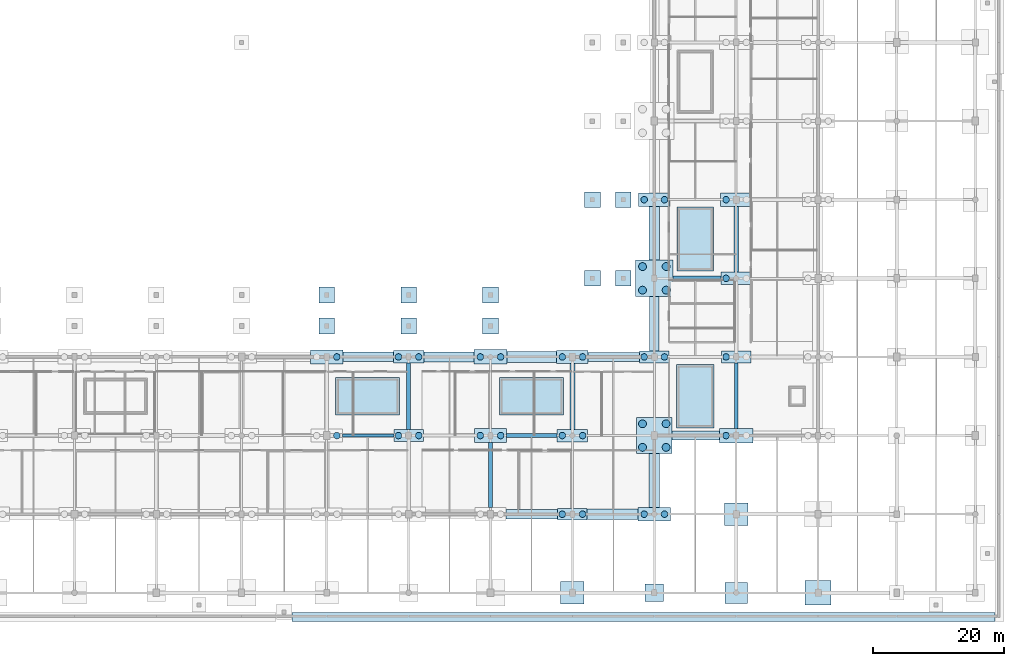
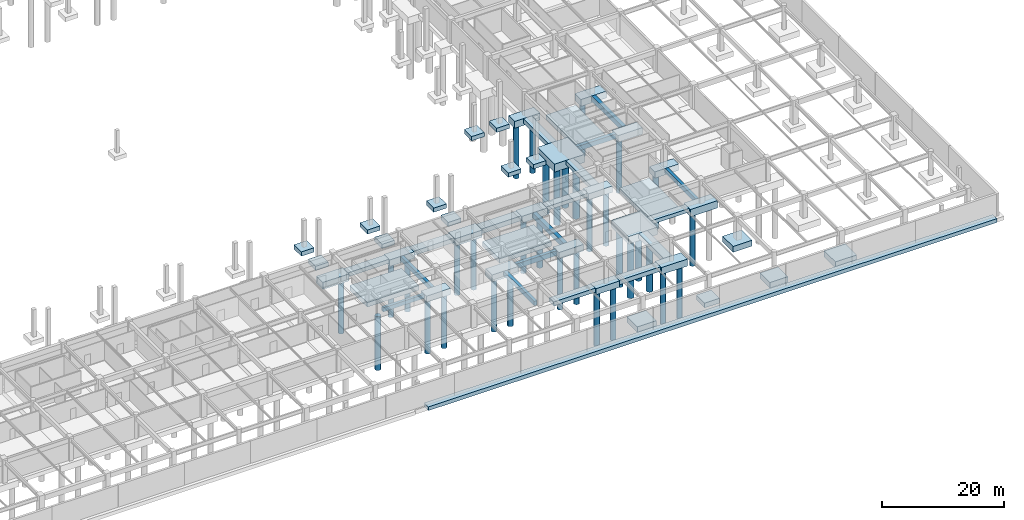
# One storey, part 5 of 56: 55 footings, 34 piles.
"""IFC4 building model written with IfcOpenShell, lengths in metres."""

from ifc_helpers import new_model, si_unit, direction, frame, origin, origin_2d, place, context, subcontext, project, spatial, polyline, rectangle, circle, outline, extrude, material, material_profile, profile_set, type_object, element, save


model = new_model("IFC4")

# Units and contexts
model_context = context("Model", 3, precision=1e-05, world=origin(), true_north=direction((0.0, 1.0)))
body_context = subcontext(model_context, "Body", "Model", "MODEL_VIEW")
ifc_project = project(units=[si_unit("LENGTHUNIT", "METRE"), si_unit("AREAUNIT", "SQUARE_METRE"), si_unit("VOLUMEUNIT", "CUBIC_METRE"), si_unit("PLANEANGLEUNIT", "RADIAN"), si_unit("MASSUNIT", "GRAM", prefix="KILO")], contexts=[model_context])

# Site, building, storey
site_placement = place(None, origin())
site = spatial("IfcSite", under=ifc_project, at=site_placement, CompositionType="ELEMENT")
building_placement = place(site_placement, origin())
building = spatial("IfcBuilding", under=site, at=building_placement, Name="Kazenohara Klinker Stadium", CompositionType="ELEMENT")
storey_placement = place(building_placement, frame((0.0, 0.0, -4.800048828125)))
storey = spatial("IfcBuildingStorey", under=building, at=storey_placement, Name="B01", CompositionType="ELEMENT", Elevation=-4.800048828125)

# Footings
ifc_material = material(Name="Concrete C35/45", Category="concrete")
footing_type_1 = type_object("IfcFootingType", Name="CAP-PC01", PredefinedType="PILE_CAP", material=ifc_material)
for number, where, z_axis, x_axis, name in (
    (1, (137.5, 24.0, -1.25), (0.0, 0.0, 1.0), (1.0, 0.0, 0.0), "Pile cap PC01 at 12/C"),
    (2, (162.5, 12.0, -1.25), (0.0, 0.0, 1.0), (1.0, 0.0, 0.0), "Pile cap PC01 at 14/B"),
    (3, (175.0, 36.0, -1.25), (0.0, 0.0, 1.0), (1.0, 0.0, 0.0), "Pile cap PC01 at 15/D"),
    (4, (187.5, 36.0, -1.25), (0.0, 0.0, 1.0), (1.0, 0.0, 0.0), "Pile cap PC01 at 16/D"),
):
    element("IfcFooting", number, at=place(storey_placement, frame(where, z_axis=z_axis, x_axis=x_axis)), inside=storey, type_object=footing_type_1, Name=name, PredefinedType="PILE_CAP", context=body_context, shape_type="SweptSolid", body=[
        extrude(rectangle(XDim=4.5, YDim=1.800048828125, at=origin_2d()), origin(), (0.0, 0.0, 1.0), 1.25),
    ])
footing_type_2 = type_object("IfcFootingType", Name="CAP-PC02", PredefinedType="PILE_CAP", material=ifc_material)
for number, where, z_axis, x_axis, name in (
    (5, (137.5, 36.0, -1.2998046875), (0.0, 0.0, 1.0), (1.0, 0.0, 0.0), "Pile cap PC02 at 12/D"),
    (6, (162.5, 24.0, -1.2998046875), (0.0, 0.0, 1.0), (1.0, 0.0, 0.0), "Pile cap PC02 at 14/C"),
    (7, (187.5, 48.0, -1.2998046875), (0.0, 0.0, 1.0), (1.0, 0.0, 0.0), "Pile cap PC02 at 16/E"),
):
    element("IfcFooting", number, at=place(storey_placement, frame(where, z_axis=z_axis, x_axis=x_axis)), inside=storey, type_object=footing_type_2, Name=name, PredefinedType="PILE_CAP", context=body_context, shape_type="SweptSolid", body=[
        extrude(rectangle(XDim=4.64990234375, YDim=1.89990234375, at=origin_2d()), origin(), (0.0, 0.0, 1.0), 1.300048828125),
    ])
footing_type_3 = type_object("IfcFootingType", Name="CAP-PC03", PredefinedType="PILE_CAP", material=ifc_material)
for number, where, z_axis, x_axis, name in (
    (8, (162.5, 36.0, -1.35009765625), (0.0, 0.0, 1.0), (1.0, 0.0, 0.0), "Pile cap PC03 at 14/D"),
    (9, (175.0, 60.0, -1.35009765625), (0.0, 0.0, 1.0), (1.0, 0.0, 0.0), "Pile cap PC03 at 15/F"),
    (10, (187.5, 60.0, -1.35009765625), (0.0, 0.0, 1.0), (1.0, 0.0, 0.0), "Pile cap PC03 at 16/F"),
):
    element("IfcFooting", number, at=place(storey_placement, frame(where, z_axis=z_axis, x_axis=x_axis)), inside=storey, type_object=footing_type_3, Name=name, PredefinedType="PILE_CAP", context=body_context, shape_type="SweptSolid", body=[
        extrude(rectangle(XDim=4.800048828125, YDim=2.0, at=origin_2d()), origin(), (0.0, 0.0, 1.0), 1.35009765625),
    ])
footing_type_4 = type_object("IfcFootingType", Name="CAP-PC04", PredefinedType="PILE_CAP", material=ifc_material)
for number, where, z_axis, x_axis, name in (
    (11, (125.0, 36.0, -1.39990234375), (0.0, 0.0, 1.0), (1.0, 0.0, 0.0), "Pile cap PC04 at 11/D"),
    (12, (150.0, 24.0, -1.39990234375), (0.0, 0.0, 1.0), (1.0, 0.0, 0.0), "Pile cap PC04 at 13/C"),
    (13, (175.0, 12.0, -1.39990234375), (0.0, 0.0, 1.0), (1.0, 0.0, 0.0), "Pile cap PC04 at 15/B"),
):
    element("IfcFooting", number, at=place(storey_placement, frame(where, z_axis=z_axis, x_axis=x_axis)), inside=storey, type_object=footing_type_4, Name=name, PredefinedType="PILE_CAP", context=body_context, shape_type="SweptSolid", body=[
        extrude(rectangle(XDim=4.949951171875, YDim=2.10009765625, at=origin_2d()), origin(), (0.0, 0.0, 1.0), 1.39990234375),
    ])
footing_type_5 = type_object("IfcFootingType", Name="CAP-PC05", PredefinedType="PILE_CAP", material=ifc_material)
for number, where, z_axis, x_axis, name in (
    (14, (150.0, 36.0, -1.44970703125), (0.0, 0.0, 1.0), (1.0, 0.0, 0.0), "Pile cap PC05 at 13/D"),
    (15, (187.5, 24.0, -1.44970703125), (0.0, 0.0, 1.0), (1.0, 0.0, 0.0), "Pile cap PC05 at 16/C"),
):
    element("IfcFooting", number, at=place(storey_placement, frame(where, z_axis=z_axis, x_axis=x_axis)), inside=storey, type_object=footing_type_5, Name=name, PredefinedType="PILE_CAP", context=body_context, shape_type="SweptSolid", body=[
        extrude(rectangle(XDim=5.10009765625, YDim=2.199951171875, at=origin_2d()), origin(), (0.0, 0.0, 1.0), 1.449951171875),
    ])
footing_type_6 = type_object("IfcFootingType", Name="CAP-PC08", PredefinedType="PILE_CAP", material=ifc_material)
footing_1_placement = place(storey_placement, frame((175.0, 24.0, -1.5), z_axis=(0.0, 0.0, 1.0), x_axis=(1.0, 0.0, 0.0)))
element("IfcFooting", 16, at=footing_1_placement, inside=storey, type_object=footing_type_6, Name="Pile cap PC08 at 15/C", PredefinedType="PILE_CAP", context=body_context, shape_type="SweptSolid", body=[
    extrude(rectangle(XDim=5.449951171875, YDim=5.449951171875, at=origin_2d()), origin(), (0.0, 0.0, 1.0), 1.5),
])
footing_type_7 = type_object("IfcFootingType", Name="CAP-PC10", PredefinedType="PILE_CAP", material=ifc_material)
footing_2_placement = place(storey_placement, frame((175.0, 48.0, -1.60009765625), z_axis=(0.0, 0.0, 1.0), x_axis=(1.0, 0.0, 0.0)))
element("IfcFooting", 17, at=footing_2_placement, inside=storey, type_object=footing_type_7, Name="Pile cap PC10 at 15/E", PredefinedType="PILE_CAP", context=body_context, shape_type="SweptSolid", body=[
    extrude(rectangle(XDim=5.699951171875, YDim=5.60009765625, at=origin_2d()), origin(), (0.0, 0.0, 1.0), 1.60009765625),
])
footing_type_8 = type_object("IfcFootingType", Name="GBEAM-GB01", PredefinedType="FOOTING_BEAM", material=ifc_material)
footing_3_placement = place(storey_placement, frame((0.0, 0.0, -0.800048828125)))
element("IfcFooting", 18, at=footing_3_placement, inside=storey, type_object=footing_type_8, Name="Foundation tie beam GB01 11-12/C", PredefinedType="FOOTING_BEAM", context=body_context, shape_type="SweptSolid", body=[
    extrude(outline(polyline([(127.39990234375, 23.75), (135.25, 23.75), (135.25, 24.25), (127.39990234375, 24.25), (127.39990234375, 23.75)])), origin(), (0.0, 0.0, 1.0), 0.800048828125),
])
footing_type_9 = type_object("IfcFootingType", Name="GBEAM-GB02", PredefinedType="FOOTING_BEAM", material=ifc_material)
footing_4_placement = place(storey_placement, frame((0.0, 0.0, -0.8798828125)))
element("IfcFooting", 19, at=footing_4_placement, inside=storey, type_object=footing_type_9, Name="Foundation tie beam GB02 12/C-D", PredefinedType="FOOTING_BEAM", context=body_context, shape_type="SweptSolid", body=[
    extrude(outline(polyline([(137.2099609375, 24.89990234375), (137.7900390625, 24.89990234375), (137.7900390625, 35.050048828125), (137.2099609375, 35.050048828125), (137.2099609375, 24.89990234375)])), origin(), (0.0, 0.0, 1.0), 0.8798828125),
])
footing_5_placement = place(storey_placement, frame((0.0, 0.0, -0.8798828125)))
element("IfcFooting", 20, at=footing_5_placement, inside=storey, type_object=footing_type_9, Name="Foundation tie beam GB02 13/B-C", PredefinedType="FOOTING_BEAM", context=body_context, shape_type="SweptSolid", body=[
    extrude(outline(polyline([(149.7099609375, 13.0), (150.2900390625, 13.0), (150.2900390625, 22.949951171875), (149.7099609375, 22.949951171875), (149.7099609375, 13.0)])), origin(), (0.0, 0.0, 1.0), 0.8798828125),
])
footing_6_placement = place(storey_placement, frame((0.0, 0.0, -0.8798828125)))
element("IfcFooting", 21, at=footing_6_placement, inside=storey, type_object=footing_type_9, Name="Foundation tie beam GB02 16/C-D", PredefinedType="FOOTING_BEAM", context=body_context, shape_type="SweptSolid", body=[
    extrude(outline(polyline([(187.2099609375, 25.10009765625), (187.7900390625, 25.10009765625), (187.7900390625, 35.10009765625), (187.2099609375, 35.10009765625), (187.2099609375, 25.10009765625)])), origin(), (0.0, 0.0, 1.0), 0.8798828125),
])
footing_type_10 = type_object("IfcFootingType", Name="GBEAM-GB03", PredefinedType="FOOTING_BEAM", material=ifc_material)
footing_7_placement = place(storey_placement, frame((0.0, 0.0, -0.9599609375)))
element("IfcFooting", 22, at=footing_7_placement, inside=storey, type_object=footing_type_10, Name="Foundation tie beam GB03 13-14/C", PredefinedType="FOOTING_BEAM", context=body_context, shape_type="SweptSolid", body=[
    extrude(outline(polyline([(152.47509765625, 23.675048828125), (160.175048828125, 23.675048828125), (160.175048828125, 24.324951171875), (152.47509765625, 24.324951171875), (152.47509765625, 23.675048828125)])), origin(), (0.0, 0.0, 1.0), 0.9599609375),
])
footing_8_placement = place(storey_placement, frame((0.0, 0.0, -0.9599609375)))
element("IfcFooting", 23, at=footing_8_placement, inside=storey, type_object=footing_type_10, Name="Foundation tie beam GB03 15-16/E", PredefinedType="FOOTING_BEAM", context=body_context, shape_type="SweptSolid", body=[
    extrude(outline(polyline([(177.85009765625, 47.675048828125), (185.175048828125, 47.675048828125), (185.175048828125, 48.324951171875), (177.85009765625, 48.324951171875), (177.85009765625, 47.675048828125)])), origin(), (0.0, 0.0, 1.0), 0.9599609375),
])
footing_type_11 = type_object("IfcFootingType", Name="GBEAM-GB04", PredefinedType="FOOTING_BEAM", material=ifc_material)
footing_9_placement = place(storey_placement, frame((0.0, 0.0, -1.050048828125)))
element("IfcFooting", 24, at=footing_9_placement, inside=storey, type_object=footing_type_11, Name="Foundation tie beam GB04 14/C-D", PredefinedType="FOOTING_BEAM", context=body_context, shape_type="SweptSolid", body=[
    extrude(outline(polyline([(162.139892578125, 24.949951171875), (162.860107421875, 24.949951171875), (162.860107421875, 35.0), (162.139892578125, 35.0), (162.139892578125, 24.949951171875)])), origin(), (0.0, 0.0, 1.0), 1.050048828125),
])
footing_10_placement = place(storey_placement, frame((0.0, 0.0, -1.050048828125)))
element("IfcFooting", 25, at=footing_10_placement, inside=storey, type_object=footing_type_11, Name="Foundation tie beam GB04 16/E-F", PredefinedType="FOOTING_BEAM", context=body_context, shape_type="SweptSolid", body=[
    extrude(outline(polyline([(187.139892578125, 48.949951171875), (187.860107421875, 48.949951171875), (187.860107421875, 59.0), (187.139892578125, 59.0), (187.139892578125, 48.949951171875)])), origin(), (0.0, 0.0, 1.0), 1.050048828125),
])
footing_type_12 = type_object("IfcFootingType", Name="PAD-PF02", PredefinedType="PAD_FOOTING", material=ifc_material)
for number, where, z_axis, x_axis, name in (
    (26, (165.550048828125, 48.0, -0.85009765625), (0.0, 0.0, 1.0), (1.0, 0.0, 0.0), "Bowl moat raker pad PF02 E-E"),
    (27, (170.27490234375, 48.0, -0.85009765625), (0.0, 0.0, 1.0), (1.0, 0.0, 0.0), "Bowl mid-raker pad PF02 E-E"),
    (28, (165.550048828125, 60.0, -0.85009765625), (0.0, 0.0, 1.0), (1.0, 0.0, 0.0), "Bowl moat raker pad PF02 E-F"),
    (29, (170.27490234375, 60.0, -0.85009765625), (0.0, 0.0, 1.0), (1.0, 0.0, 0.0), "Bowl mid-raker pad PF02 E-F"),
    (30, (125.0, 45.449951171875, -0.85009765625), (0.0, 0.0, 1.0), (1.0, 0.0, 0.0), "Bowl moat raker pad PF02 S-11"),
    (31, (125.0, 40.72509765625, -0.85009765625), (0.0, 0.0, 1.0), (1.0, 0.0, 0.0), "Bowl mid-raker pad PF02 S-11"),
    (32, (137.5, 45.449951171875, -0.85009765625), (0.0, 0.0, 1.0), (1.0, 0.0, 0.0), "Bowl moat raker pad PF02 S-12"),
    (33, (137.5, 40.72509765625, -0.85009765625), (0.0, 0.0, 1.0), (1.0, 0.0, 0.0), "Bowl mid-raker pad PF02 S-12"),
    (34, (150.0, 45.449951171875, -0.85009765625), (0.0, 0.0, 1.0), (1.0, 0.0, 0.0), "Bowl moat raker pad PF02 S-13"),
    (35, (150.0, 40.72509765625, -0.85009765625), (0.0, 0.0, 1.0), (1.0, 0.0, 0.0), "Bowl mid-raker pad PF02 S-13"),
):
    element("IfcFooting", number, at=place(storey_placement, frame(where, z_axis=z_axis, x_axis=x_axis)), inside=storey, type_object=footing_type_12, Name=name, PredefinedType="PAD_FOOTING", context=body_context, shape_type="SweptSolid", body=[
        extrude(rectangle(XDim=2.39990234375, YDim=2.39990234375, at=origin_2d()), origin(), (0.0, 0.0, 1.0), 0.85009765625),
    ])
footing_type_13 = type_object("IfcFootingType", Name="PAD-PF04", PredefinedType="PAD_FOOTING", material=ifc_material)
footing_11_placement = place(storey_placement, frame((175.0, 0.0, -0.94970703125), z_axis=(0.0, 0.0, 1.0), x_axis=(1.0, 0.0, 0.0)))
element("IfcFooting", 36, at=footing_11_placement, inside=storey, type_object=footing_type_13, Name="Spread footing PF04 at 15/A", PredefinedType="PAD_FOOTING", context=body_context, shape_type="SweptSolid", body=[
    extrude(rectangle(XDim=2.800048828125, YDim=2.699951171875, at=origin_2d()), origin(), (0.0, 0.0, 1.0), 0.949951171875),
])
footing_12_placement = place(storey_placement, frame((0.0, 0.0, -1.550048828125)))
element("IfcFooting", 37, at=footing_12_placement, inside=storey, type_object=footing_type_13, Name="Stairwell core foundation raft ST16", PredefinedType="PAD_FOOTING", context=body_context, shape_type="SweptSolid", body=[
    extrude(outline(polyline([(178.405029296875, 25.135009765625), (184.094970703125, 25.135009765625), (184.094970703125, 34.864990234375), (178.405029296875, 34.864990234375), (178.405029296875, 25.135009765625)])), origin(), (0.0, 0.0, 1.0), 0.900146484375),
])
footing_13_placement = place(storey_placement, frame((0.0, 0.0, -1.550048828125)))
element("IfcFooting", 38, at=footing_13_placement, inside=storey, type_object=footing_type_13, Name="Stairwell core foundation raft ST21", PredefinedType="PAD_FOOTING", context=body_context, shape_type="SweptSolid", body=[
    extrude(outline(polyline([(178.43505859375, 49.125), (184.06494140625, 49.125), (184.06494140625, 58.875), (178.43505859375, 58.875), (178.43505859375, 49.125)])), origin(), (0.0, 0.0, 1.0), 0.900146484375),
])
footing_14_placement = place(storey_placement, frame((0.0, 0.0, -1.550048828125)))
element("IfcFooting", 39, at=footing_14_placement, inside=storey, type_object=footing_type_13, Name="Stairwell core foundation raft ST27", PredefinedType="PAD_FOOTING", context=body_context, shape_type="SweptSolid", body=[
    extrude(outline(polyline([(126.375, 27.155029296875), (136.125, 27.155029296875), (136.125, 32.844970703125), (126.375, 32.844970703125), (126.375, 27.155029296875)])), origin(), (0.0, 0.0, 1.0), 0.900146484375),
])
footing_15_placement = place(storey_placement, frame((0.0, 0.0, -1.550048828125)))
element("IfcFooting", 40, at=footing_15_placement, inside=storey, type_object=footing_type_13, Name="Stairwell core foundation raft ST28", PredefinedType="PAD_FOOTING", context=body_context, shape_type="SweptSolid", body=[
    extrude(outline(polyline([(151.385009765625, 27.155029296875), (161.114990234375, 27.155029296875), (161.114990234375, 32.844970703125), (151.385009765625, 32.844970703125), (151.385009765625, 27.155029296875)])), origin(), (0.0, 0.0, 1.0), 0.900146484375),
])
footing_type_14 = type_object("IfcFootingType", Name="PAD-PF07", PredefinedType="PAD_FOOTING", material=ifc_material)
footing_16_placement = place(storey_placement, frame((187.5, 0.0, -1.10009765625), z_axis=(0.0, 0.0, 1.0), x_axis=(1.0, 0.0, 0.0)))
element("IfcFooting", 41, at=footing_16_placement, inside=storey, type_object=footing_type_14, Name="Spread footing PF07 at 16/A", PredefinedType="PAD_FOOTING", context=body_context, shape_type="SweptSolid", body=[
    extrude(rectangle(XDim=3.39990234375, YDim=3.199951171875, at=origin_2d()), origin(), (0.0, 0.0, 1.0), 1.10009765625),
])
footing_type_15 = type_object("IfcFootingType", Name="PAD-PF08", PredefinedType="PAD_FOOTING", material=ifc_material)
for number, where, z_axis, x_axis, name in (
    (42, (162.5, 0.0, -1.14990234375), (0.0, 0.0, 1.0), (1.0, 0.0, 0.0), "Spread footing PF08 at 14/A"),
    (43, (187.5, 12.0, -1.14990234375), (0.0, 0.0, 1.0), (1.0, 0.0, 0.0), "Spread footing PF08 at 16/B"),
):
    element("IfcFooting", number, at=place(storey_placement, frame(where, z_axis=z_axis, x_axis=x_axis)), inside=storey, type_object=footing_type_15, Name=name, PredefinedType="PAD_FOOTING", context=body_context, shape_type="SweptSolid", body=[
        extrude(rectangle(XDim=3.60009765625, YDim=3.39990234375, at=origin_2d()), origin(), (0.0, 0.0, 1.0), 1.14990234375),
    ])
footing_type_16 = type_object("IfcFootingType", Name="PAD-PF10", PredefinedType="PAD_FOOTING", material=ifc_material)
footing_17_placement = place(storey_placement, frame((200.0, 0.0, -1.25), z_axis=(0.0, 0.0, 1.0), x_axis=(1.0, 0.0, 0.0)))
element("IfcFooting", 44, at=footing_17_placement, inside=storey, type_object=footing_type_16, Name="Spread footing PF10 at 17/A", PredefinedType="PAD_FOOTING", context=body_context, shape_type="SweptSolid", body=[
    extrude(rectangle(XDim=4.0, YDim=3.75, at=origin_2d()), origin(), (0.0, 0.0, 1.0), 1.25),
])

# Piles
ifc_material_profile_1 = material_profile(ifc_material, circle(Radius=0.5, at=origin_2d()), Name="BORED-PILE-1000")
ifc_profile_set_1 = profile_set([ifc_material_profile_1], Name="Concrete C35/45")
pile_type_1 = type_object("IfcPileType", Name="PILE-P01-1000", PredefinedType="BORED", material=ifc_profile_set_1)
pile_1_placement = place(storey_placement, frame((126.550048828125, 24.0, -1.25), z_axis=(0.0, 0.0, -1.0), x_axis=(1.0, 0.0, 0.0)))
element("IfcPile", 45, at=pile_1_placement, inside=storey, type_object=pile_type_1, Name="Bored pile P01-1002-2", PredefinedType="BORED", context=body_context, shape_type="SweptSolid", body=[
    extrude(circle(Radius=0.5, at=origin_2d()), origin(), (0.0, 0.0, 1.0), 10.75),
])
pile_2_placement = place(storey_placement, frame((126.550048828125, 36.0, -1.300048828125), z_axis=(0.0, 0.0, -1.0), x_axis=(1.0, 0.0, 0.0)))
element("IfcPile", 46, at=pile_2_placement, inside=storey, type_object=pile_type_1, Name="Bored pile P01-1003-2", PredefinedType="BORED", context=body_context, shape_type="SweptSolid", body=[
    extrude(circle(Radius=0.5, at=origin_2d()), origin(), (0.0, 0.0, 1.0), 10.699951171875),
])
for number, where, z_axis, x_axis, name in (
    (47, (135.949951171875, 24.0, -1.14990234375), (0.0, 0.0, -1.0), (1.0, 0.0, 0.0), "Bored pile P01-1102-1"),
    (48, (139.050048828125, 24.0, -1.14990234375), (0.0, 0.0, -1.0), (1.0, 0.0, 0.0), "Bored pile P01-1102-2"),
):
    element("IfcPile", number, at=place(storey_placement, frame(where, z_axis=z_axis, x_axis=x_axis)), inside=storey, type_object=pile_type_1, Name=name, PredefinedType="BORED", context=body_context, shape_type="SweptSolid", body=[
        extrude(circle(Radius=0.5, at=origin_2d()), origin(), (0.0, 0.0, 1.0), 10.85009765625),
    ])
for number, where, z_axis, x_axis, name in (
    (49, (135.949951171875, 36.0, -1.199951171875), (0.0, 0.0, -1.0), (1.0, 0.0, 0.0), "Bored pile P01-1103-1"),
    (50, (139.050048828125, 36.0, -1.199951171875), (0.0, 0.0, -1.0), (1.0, 0.0, 0.0), "Bored pile P01-1103-2"),
):
    element("IfcPile", number, at=place(storey_placement, frame(where, z_axis=z_axis, x_axis=x_axis)), inside=storey, type_object=pile_type_1, Name=name, PredefinedType="BORED", context=body_context, shape_type="SweptSolid", body=[
        extrude(circle(Radius=0.5, at=origin_2d()), origin(), (0.0, 0.0, 1.0), 10.800048828125),
    ])
for number, where, z_axis, x_axis, name in (
    (51, (148.449951171875, 24.0, -1.300048828125), (0.0, 0.0, -1.0), (1.0, 0.0, 0.0), "Bored pile P01-1202-1"),
    (52, (151.550048828125, 24.0, -1.300048828125), (0.0, 0.0, -1.0), (1.0, 0.0, 0.0), "Bored pile P01-1202-2"),
):
    element("IfcPile", number, at=place(storey_placement, frame(where, z_axis=z_axis, x_axis=x_axis)), inside=storey, type_object=pile_type_1, Name=name, PredefinedType="BORED", context=body_context, shape_type="SweptSolid", body=[
        extrude(circle(Radius=0.5, at=origin_2d()), origin(), (0.0, 0.0, 1.0), 10.699951171875),
    ])
for number, where, z_axis, x_axis, name in (
    (53, (148.449951171875, 36.0, -1.349853515625), (0.0, 0.0, -1.0), (1.0, 0.0, 0.0), "Bored pile P01-1203-1"),
    (54, (151.550048828125, 36.0, -1.349853515625), (0.0, 0.0, -1.0), (1.0, 0.0, 0.0), "Bored pile P01-1203-2"),
):
    element("IfcPile", number, at=place(storey_placement, frame(where, z_axis=z_axis, x_axis=x_axis)), inside=storey, type_object=pile_type_1, Name=name, PredefinedType="BORED", context=body_context, shape_type="SweptSolid", body=[
        extrude(circle(Radius=0.5, at=origin_2d()), origin(), (0.0, 0.0, 1.0), 10.64990234375),
    ])
for number, where, z_axis, x_axis, name in (
    (55, (160.949951171875, 12.0, -1.14990234375), (0.0, 0.0, -1.0), (1.0, 0.0, 0.0), "Bored pile P01-1301-1"),
    (56, (164.050048828125, 12.0, -1.14990234375), (0.0, 0.0, -1.0), (1.0, 0.0, 0.0), "Bored pile P01-1301-2"),
):
    element("IfcPile", number, at=place(storey_placement, frame(where, z_axis=z_axis, x_axis=x_axis)), inside=storey, type_object=pile_type_1, Name=name, PredefinedType="BORED", context=body_context, shape_type="SweptSolid", body=[
        extrude(circle(Radius=0.5, at=origin_2d()), origin(), (0.0, 0.0, 1.0), 10.85009765625),
    ])
for number, where, z_axis, x_axis, name in (
    (57, (160.949951171875, 24.0, -1.199951171875), (0.0, 0.0, -1.0), (1.0, 0.0, 0.0), "Bored pile P01-1302-1"),
    (58, (164.050048828125, 24.0, -1.199951171875), (0.0, 0.0, -1.0), (1.0, 0.0, 0.0), "Bored pile P01-1302-2"),
):
    element("IfcPile", number, at=place(storey_placement, frame(where, z_axis=z_axis, x_axis=x_axis)), inside=storey, type_object=pile_type_1, Name=name, PredefinedType="BORED", context=body_context, shape_type="SweptSolid", body=[
        extrude(circle(Radius=0.5, at=origin_2d()), origin(), (0.0, 0.0, 1.0), 10.800048828125),
    ])
for number, where, z_axis, x_axis, name in (
    (59, (160.949951171875, 36.0, -1.25), (0.0, 0.0, -1.0), (1.0, 0.0, 0.0), "Bored pile P01-1303-1"),
    (60, (164.050048828125, 36.0, -1.25), (0.0, 0.0, -1.0), (1.0, 0.0, 0.0), "Bored pile P01-1303-2"),
):
    element("IfcPile", number, at=place(storey_placement, frame(where, z_axis=z_axis, x_axis=x_axis)), inside=storey, type_object=pile_type_1, Name=name, PredefinedType="BORED", context=body_context, shape_type="SweptSolid", body=[
        extrude(circle(Radius=0.5, at=origin_2d()), origin(), (0.0, 0.0, 1.0), 10.75),
    ])
for number, where, z_axis, x_axis, name in (
    (61, (173.449951171875, 12.0, -1.300048828125), (0.0, 0.0, -1.0), (1.0, 0.0, 0.0), "Bored pile P01-1401-1"),
    (62, (176.550048828125, 12.0, -1.300048828125), (0.0, 0.0, -1.0), (1.0, 0.0, 0.0), "Bored pile P01-1401-2"),
):
    element("IfcPile", number, at=place(storey_placement, frame(where, z_axis=z_axis, x_axis=x_axis)), inside=storey, type_object=pile_type_1, Name=name, PredefinedType="BORED", context=body_context, shape_type="SweptSolid", body=[
        extrude(circle(Radius=0.5, at=origin_2d()), origin(), (0.0, 0.0, 1.0), 10.699951171875),
    ])
for number, where, z_axis, x_axis, name in (
    (63, (173.449951171875, 36.0, -1.14990234375), (0.0, 0.0, -1.0), (1.0, 0.0, 0.0), "Bored pile P01-1403-1"),
    (64, (176.550048828125, 36.0, -1.14990234375), (0.0, 0.0, -1.0), (1.0, 0.0, 0.0), "Bored pile P01-1403-2"),
):
    element("IfcPile", number, at=place(storey_placement, frame(where, z_axis=z_axis, x_axis=x_axis)), inside=storey, type_object=pile_type_1, Name=name, PredefinedType="BORED", context=body_context, shape_type="SweptSolid", body=[
        extrude(circle(Radius=0.5, at=origin_2d()), origin(), (0.0, 0.0, 1.0), 10.85009765625),
    ])
for number, where, z_axis, x_axis, name in (
    (65, (173.449951171875, 60.0, -1.25), (0.0, 0.0, -1.0), (1.0, 0.0, 0.0), "Bored pile P01-1405-1"),
    (66, (176.550048828125, 60.0, -1.25), (0.0, 0.0, -1.0), (1.0, 0.0, 0.0), "Bored pile P01-1405-2"),
):
    element("IfcPile", number, at=place(storey_placement, frame(where, z_axis=z_axis, x_axis=x_axis)), inside=storey, type_object=pile_type_1, Name=name, PredefinedType="BORED", context=body_context, shape_type="SweptSolid", body=[
        extrude(circle(Radius=0.5, at=origin_2d()), origin(), (0.0, 0.0, 1.0), 10.75),
    ])
pile_3_placement = place(storey_placement, frame((185.949951171875, 24.0, -1.349853515625), z_axis=(0.0, 0.0, -1.0), x_axis=(1.0, 0.0, 0.0)))
element("IfcPile", 67, at=pile_3_placement, inside=storey, type_object=pile_type_1, Name="Bored pile P01-1502-1", PredefinedType="BORED", context=body_context, shape_type="SweptSolid", body=[
    extrude(circle(Radius=0.5, at=origin_2d()), origin(), (0.0, 0.0, 1.0), 10.64990234375),
])
pile_4_placement = place(storey_placement, frame((185.949951171875, 36.0, -1.14990234375), z_axis=(0.0, 0.0, -1.0), x_axis=(1.0, 0.0, 0.0)))
element("IfcPile", 68, at=pile_4_placement, inside=storey, type_object=pile_type_1, Name="Bored pile P01-1503-1", PredefinedType="BORED", context=body_context, shape_type="SweptSolid", body=[
    extrude(circle(Radius=0.5, at=origin_2d()), origin(), (0.0, 0.0, 1.0), 10.85009765625),
])
pile_5_placement = place(storey_placement, frame((185.949951171875, 48.0, -1.199951171875), z_axis=(0.0, 0.0, -1.0), x_axis=(1.0, 0.0, 0.0)))
element("IfcPile", 69, at=pile_5_placement, inside=storey, type_object=pile_type_1, Name="Bored pile P01-1504-1", PredefinedType="BORED", context=body_context, shape_type="SweptSolid", body=[
    extrude(circle(Radius=0.5, at=origin_2d()), origin(), (0.0, 0.0, 1.0), 10.800048828125),
])
pile_6_placement = place(storey_placement, frame((185.949951171875, 60.0, -1.25), z_axis=(0.0, 0.0, -1.0), x_axis=(1.0, 0.0, 0.0)))
element("IfcPile", 70, at=pile_6_placement, inside=storey, type_object=pile_type_1, Name="Bored pile P01-1505-1", PredefinedType="BORED", context=body_context, shape_type="SweptSolid", body=[
    extrude(circle(Radius=0.5, at=origin_2d()), origin(), (0.0, 0.0, 1.0), 10.75),
])
ifc_material_profile_2 = material_profile(ifc_material, circle(Radius=0.60009765625, at=origin_2d()), Name="BORED-PILE-1200")
ifc_profile_set_2 = profile_set([ifc_material_profile_2], Name="Concrete C35/45")
pile_type_2 = type_object("IfcPileType", Name="PILE-P02-1200", PredefinedType="BORED", material=ifc_profile_set_2)
for number, where, z_axis, x_axis, name in (
    (71, (173.199951171875, 22.199951171875, -1.39990234375), (0.0, 0.0, -1.0), (1.0, 0.0, 0.0), "Bored pile P02-1402-1"),
    (72, (176.800048828125, 22.199951171875, -1.39990234375), (0.0, 0.0, -1.0), (1.0, 0.0, 0.0), "Bored pile P02-1402-2"),
    (73, (173.199951171875, 25.800048828125, -1.39990234375), (0.0, 0.0, -1.0), (1.0, 0.0, 0.0), "Bored pile P02-1402-3"),
    (74, (176.800048828125, 25.800048828125, -1.39990234375), (0.0, 0.0, -1.0), (1.0, 0.0, 0.0), "Bored pile P02-1402-4"),
):
    element("IfcPile", number, at=place(storey_placement, frame(where, z_axis=z_axis, x_axis=x_axis)), inside=storey, type_object=pile_type_2, Name=name, PredefinedType="BORED", context=body_context, shape_type="SweptSolid", body=[
        extrude(circle(Radius=0.60009765625, at=origin_2d()), origin(), (0.0, 0.0, 1.0), 11.39990234375),
    ])
for number, where, z_axis, x_axis, name in (
    (75, (173.199951171875, 46.199951171875, -1.5), (0.0, 0.0, -1.0), (1.0, 0.0, 0.0), "Bored pile P02-1404-1"),
    (76, (176.800048828125, 46.199951171875, -1.5), (0.0, 0.0, -1.0), (1.0, 0.0, 0.0), "Bored pile P02-1404-2"),
    (77, (173.199951171875, 49.800048828125, -1.5), (0.0, 0.0, -1.0), (1.0, 0.0, 0.0), "Bored pile P02-1404-3"),
    (78, (176.800048828125, 49.800048828125, -1.5), (0.0, 0.0, -1.0), (1.0, 0.0, 0.0), "Bored pile P02-1404-4"),
):
    element("IfcPile", number, at=place(storey_placement, frame(where, z_axis=z_axis, x_axis=x_axis)), inside=storey, type_object=pile_type_2, Name=name, PredefinedType="BORED", context=body_context, shape_type="SweptSolid", body=[
        extrude(circle(Radius=0.60009765625, at=origin_2d()), origin(), (0.0, 0.0, 1.0), 11.300048828125),
    ])

# Footings
footing_type_17 = type_object("IfcFootingType", Name="STRIP-SF01", PredefinedType="STRIP_FOOTING", material=ifc_material)
footing_18_placement = place(storey_placement, frame((0.0, 0.0, -0.75)))
element("IfcFooting", 79, at=footing_18_placement, inside=storey, type_object=footing_type_17, Name="Perimeter strip footing SF01 14-15/D", PredefinedType="STRIP_FOOTING", context=body_context, shape_type="SweptSolid", body=[
    extrude(outline(polyline([(164.89990234375, 35.324951171875), (172.75, 35.324951171875), (172.75, 36.675048828125), (164.89990234375, 36.675048828125), (164.89990234375, 35.324951171875)])), origin(), (0.0, 0.0, 1.0), 0.75),
])
footing_19_placement = place(storey_placement, frame((0.0, 0.0, -0.75)))
element("IfcFooting", 80, at=footing_19_placement, inside=storey, type_object=footing_type_17, Name="Perimeter strip footing SF01 15-16/C", PredefinedType="STRIP_FOOTING", context=body_context, shape_type="SweptSolid", body=[
    extrude(outline(polyline([(177.72509765625, 23.324951171875), (184.949951171875, 23.324951171875), (184.949951171875, 24.675048828125), (177.72509765625, 24.675048828125), (177.72509765625, 23.324951171875)])), origin(), (0.0, 0.0, 1.0), 0.75),
])
footing_20_placement = place(storey_placement, frame((0.0, 0.0, -0.75)))
element("IfcFooting", 81, at=footing_20_placement, inside=storey, type_object=footing_type_17, Name="Street plinth strip footing SF01 South-02", PredefinedType="STRIP_FOOTING", context=body_context, shape_type="SweptSolid", body=[
    extrude(outline(polyline([(119.719970703125, -4.375), (227.0, -4.375), (227.0, -3.02490234375), (119.719970703125, -3.02490234375), (119.719970703125, -4.375)])), origin(), (0.0, 0.0, 1.0), 0.75),
])
footing_type_18 = type_object("IfcFootingType", Name="STRIP-SF02", PredefinedType="STRIP_FOOTING", material=ifc_material)
footing_21_placement = place(storey_placement, frame((0.0, 0.0, -0.800048828125)))
element("IfcFooting", 82, at=footing_21_placement, inside=storey, type_object=footing_type_18, Name="Perimeter strip footing SF02 11-12/D", PredefinedType="STRIP_FOOTING", context=body_context, shape_type="SweptSolid", body=[
    extrude(outline(polyline([(127.47509765625, 35.27490234375), (135.175048828125, 35.27490234375), (135.175048828125, 36.72509765625), (127.47509765625, 36.72509765625), (127.47509765625, 35.27490234375)])), origin(), (0.0, 0.0, 1.0), 0.800048828125),
])
footing_22_placement = place(storey_placement, frame((0.0, 0.0, -0.800048828125)))
element("IfcFooting", 83, at=footing_22_placement, inside=storey, type_object=footing_type_18, Name="Perimeter strip footing SF02 13-14/B", PredefinedType="STRIP_FOOTING", context=body_context, shape_type="SweptSolid", body=[
    extrude(outline(polyline([(152.39990234375, 11.27490234375), (160.25, 11.27490234375), (160.25, 12.72509765625), (152.39990234375, 12.72509765625), (152.39990234375, 11.27490234375)])), origin(), (0.0, 0.0, 1.0), 0.800048828125),
])
footing_23_placement = place(storey_placement, frame((0.0, 0.0, -0.800048828125)))
element("IfcFooting", 84, at=footing_23_placement, inside=storey, type_object=footing_type_18, Name="Perimeter strip footing SF02 15/D-E", PredefinedType="STRIP_FOOTING", context=body_context, shape_type="SweptSolid", body=[
    extrude(outline(polyline([(174.27490234375, 36.89990234375), (175.72509765625, 36.89990234375), (175.72509765625, 45.199951171875), (174.27490234375, 45.199951171875), (174.27490234375, 36.89990234375)])), origin(), (0.0, 0.0, 1.0), 0.800048828125),
])
footing_type_19 = type_object("IfcFootingType", Name="STRIP-SF03", PredefinedType="STRIP_FOOTING", material=ifc_material)
footing_24_placement = place(storey_placement, frame((0.0, 0.0, -0.8798828125)))
element("IfcFooting", 85, at=footing_24_placement, inside=storey, type_object=footing_type_19, Name="Perimeter strip footing SF03 12-13/D", PredefinedType="STRIP_FOOTING", context=body_context, shape_type="SweptSolid", body=[
    extrude(outline(polyline([(139.824951171875, 35.22509765625), (147.449951171875, 35.22509765625), (147.449951171875, 36.77490234375), (139.824951171875, 36.77490234375), (139.824951171875, 35.22509765625)])), origin(), (0.0, 0.0, 1.0), 0.8798828125),
])
footing_25_placement = place(storey_placement, frame((0.0, 0.0, -0.8798828125)))
element("IfcFooting", 86, at=footing_25_placement, inside=storey, type_object=footing_type_19, Name="Perimeter strip footing SF03 14-15/B", PredefinedType="STRIP_FOOTING", context=body_context, shape_type="SweptSolid", body=[
    extrude(outline(polyline([(164.75, 11.22509765625), (172.52490234375, 11.22509765625), (172.52490234375, 12.77490234375), (164.75, 12.77490234375), (164.75, 11.22509765625)])), origin(), (0.0, 0.0, 1.0), 0.8798828125),
])
footing_26_placement = place(storey_placement, frame((0.0, 0.0, -0.8798828125)))
element("IfcFooting", 87, at=footing_26_placement, inside=storey, type_object=footing_type_19, Name="Perimeter strip footing SF03 15/E-F", PredefinedType="STRIP_FOOTING", context=body_context, shape_type="SweptSolid", body=[
    extrude(outline(polyline([(174.22509765625, 50.800048828125), (175.77490234375, 50.800048828125), (175.77490234375, 59.0), (174.22509765625, 59.0), (174.22509765625, 50.800048828125)])), origin(), (0.0, 0.0, 1.0), 0.8798828125),
])
footing_type_20 = type_object("IfcFootingType", Name="STRIP-SF04", PredefinedType="STRIP_FOOTING", material=ifc_material)
footing_27_placement = place(storey_placement, frame((0.0, 0.0, -0.949951171875)))
element("IfcFooting", 88, at=footing_27_placement, inside=storey, type_object=footing_type_20, Name="Perimeter strip footing SF04 13-14/D", PredefinedType="STRIP_FOOTING", context=body_context, shape_type="SweptSolid", body=[
    extrude(outline(polyline([(152.550048828125, 35.175048828125), (160.10009765625, 35.175048828125), (160.10009765625, 36.824951171875), (152.550048828125, 36.824951171875), (152.550048828125, 35.175048828125)])), origin(), (0.0, 0.0, 1.0), 0.949951171875),
])
footing_28_placement = place(storey_placement, frame((0.0, 0.0, -0.949951171875)))
element("IfcFooting", 89, at=footing_28_placement, inside=storey, type_object=footing_type_20, Name="Perimeter strip footing SF04 15/B-C", PredefinedType="STRIP_FOOTING", context=body_context, shape_type="SweptSolid", body=[
    extrude(outline(polyline([(174.175048828125, 13.050048828125), (175.824951171875, 13.050048828125), (175.824951171875, 21.27490234375), (174.175048828125, 21.27490234375), (174.175048828125, 13.050048828125)])), origin(), (0.0, 0.0, 1.0), 0.949951171875),
])

save(model, "model.ifc")
